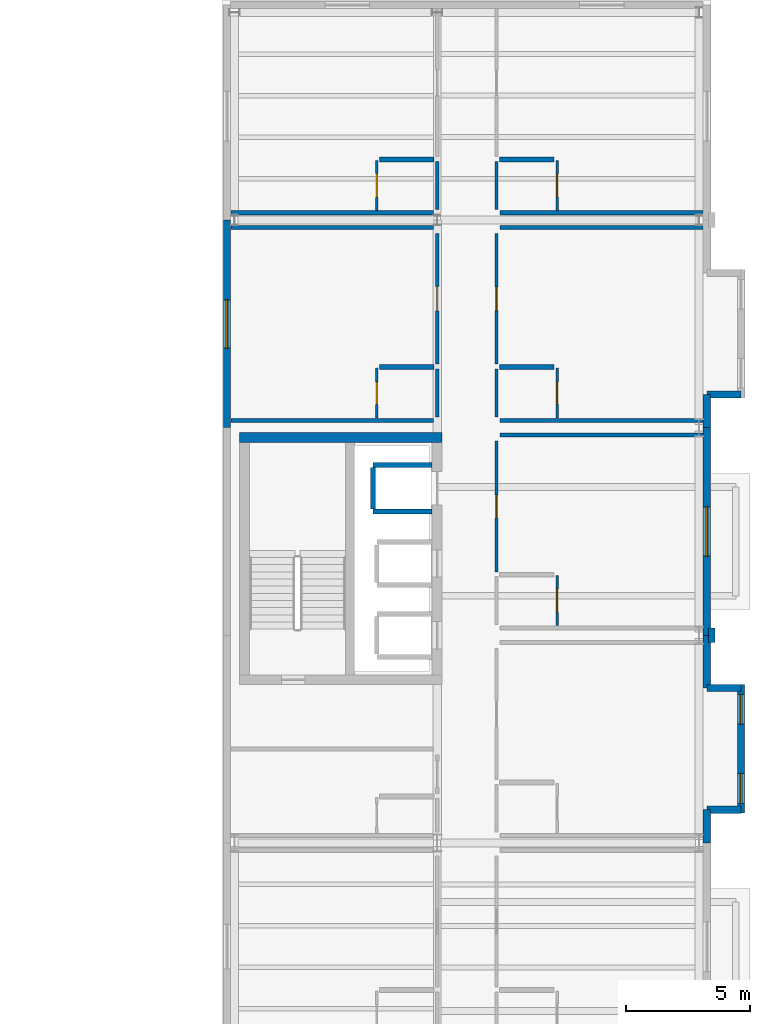
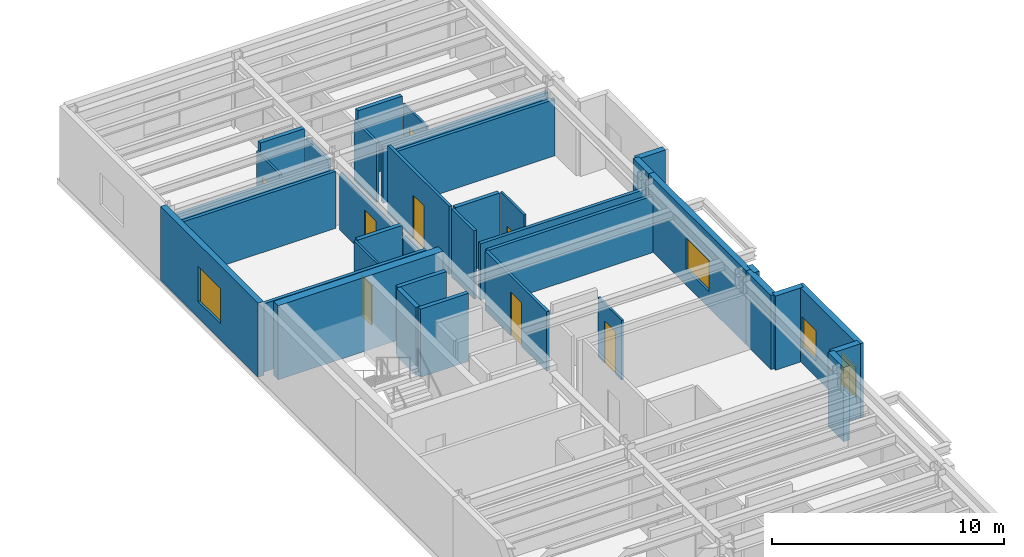
# One storey, part 38 of 46: 37 walls, 8 doors, 4 windows, 12 openings.
"""IFC4 building model written with IfcOpenShell, lengths in metres."""

import ifcopenshell
import ifcopenshell.guid

model = None  # the IFC model being written
_history = None  # IfcOwnerHistory: only IFC2X3 demands one
_inside = {}  # id of a spatial element -> (the spatial element, [elements in it])
_under = {}  # id of a project, library or spatial element -> (it, [spatial elements below it])
_declared = {}  # id of a project -> (the project, [libraries it declares])
_typed = {}  # id of a type object -> (the type object, [elements of that type])
_made_of = {}  # id of a material, layer set ... -> (it, [elements and type objects made of it])


def new_model(schema):
    """Start an empty IFC model of exactly this schema.

    Asked for "IFC4X3", IfcOpenShell would pick the latest addendum, in which some entities
    have other attributes; the version numbers below select the first issue.
    IFC2X3 requires an IfcOwnerHistory on every rooted entity: one is made here for all.
    """
    global model, _history
    if schema == "IFC4X3":
        model = ifcopenshell.file(schema_version=(4, 3, 0, 0))
    else:
        model = ifcopenshell.file(schema=schema)
    _inside.clear()
    _under.clear()
    _declared.clear()
    _typed.clear()
    _made_of.clear()
    _history = None
    if model.schema == "IFC2X3":
        org = make("IfcOrganization", Name="unknown")
        user = make(
            "IfcPersonAndOrganization",
            ThePerson=make("IfcPerson", FamilyName="unknown"),
            TheOrganization=org,
        )
        app = make(
            "IfcApplication",
            ApplicationDeveloper=org,
            Version="unknown",
            ApplicationFullName="unknown",
            ApplicationIdentifier="unknown",
        )
        _history = make(
            "IfcOwnerHistory",
            OwningUser=user,
            OwningApplication=app,
            ChangeAction="ADDED",
            CreationDate=0,
        )
    return model


def make(cls, **values):
    """One entity of the class cls with the attributes given. An attribute that is None is left unset."""
    return model.create_entity(
        cls, **{name: value for name, value in values.items() if value is not None}
    )


def rooted(cls, **values):
    """An entity with a GlobalId (a new one), such as an element, a storey or a relation."""
    return make(cls, GlobalId=ifcopenshell.guid.new(), OwnerHistory=_history, **values)


def si_unit(unit_type, name, prefix=None):
    """IfcSIUnit, for example si_unit("LENGTHUNIT", "METRE", prefix="MILLI")."""
    return make("IfcSIUnit", UnitType=unit_type, Prefix=prefix, Name=name)


def assignment(units):
    """IfcUnitAssignment: the units of a project."""
    return None if units is None else make("IfcUnitAssignment", Units=units)


def point(xyz):
    """IfcCartesianPoint."""
    return None if xyz is None else make("IfcCartesianPoint", Coordinates=xyz)


def direction(xyz):
    """IfcDirection."""
    return None if xyz is None else make("IfcDirection", DirectionRatios=xyz)


def frame(location, z_axis=None, x_axis=None):
    """IfcAxis2Placement3D, a coordinate frame: its origin and axes. An axis left out is left unset."""
    return make(
        "IfcAxis2Placement3D",
        Location=point(location),
        Axis=direction(z_axis),
        RefDirection=direction(x_axis),
    )


def frame_2d(location, x_axis=None):
    """IfcAxis2Placement2D, a coordinate frame in the plane: its origin and x axis."""
    return make(
        "IfcAxis2Placement2D", Location=point(location), RefDirection=direction(x_axis)
    )


def origin():
    """The frame at (0, 0, 0) with its axes left unset."""
    return frame((0.0, 0.0, 0.0))


def place(relative_to, where):
    """IfcLocalPlacement: puts the frame where relative to a parent placement (None: the world)."""
    return make(
        "IfcLocalPlacement", PlacementRelTo=relative_to, RelativePlacement=where
    )


def context(
    kind, dimensions, precision=None, world=None, true_north=None, identifier=None
):
    """IfcGeometricRepresentationContext, for example the 3D "Model" context."""
    return make(
        "IfcGeometricRepresentationContext",
        ContextIdentifier=identifier,
        ContextType=kind,
        CoordinateSpaceDimension=dimensions,
        Precision=precision,
        WorldCoordinateSystem=world,
        TrueNorth=true_north,
    )


def subcontext(parent, identifier, kind, view, scale=None):
    """IfcGeometricRepresentationSubContext, for example "Body" below "Model"."""
    return make(
        "IfcGeometricRepresentationSubContext",
        ContextIdentifier=identifier,
        ContextType=kind,
        ParentContext=parent,
        TargetScale=scale,
        TargetView=view,
    )


def project(units=None, contexts=None):
    """IfcProject with its units and contexts."""
    return rooted(
        "IfcProject",
        Name="project",
        RepresentationContexts=contexts,
        UnitsInContext=assignment(units),
    )


def spatial(cls, under=None, at=None, **own):
    """A site, building, storey or space (cls), placed at a placement, below another one or the project."""
    s = rooted(cls, ObjectPlacement=at, **own)
    if under is not None:
        _under.setdefault(under.id(), (under, []))[1].append(s)
    return s


def profile(cls, at=None, kind="AREA", **sizes):
    """A parametric profile (cls). Its sizes go by their IFC names, for example OverallWidth=200.0."""
    return make(cls, ProfileType=kind, Position=at, **sizes)


def rectangle(**sizes):
    """IfcRectangleProfileDef."""
    return profile("IfcRectangleProfileDef", **sizes)


def extrude(swept, where, along, depth):
    """IfcExtrudedAreaSolid: the profile swept, set in the frame where, extruded along a direction by depth."""
    return make(
        "IfcExtrudedAreaSolid",
        SweptArea=swept,
        Position=where,
        ExtrudedDirection=direction(along),
        Depth=depth,
    )


def shape(context_of_items, identifier, shape_type, items):
    """IfcShapeRepresentation: the items that make up one representation, for example the "Body"."""
    return make(
        "IfcShapeRepresentation",
        ContextOfItems=context_of_items,
        RepresentationIdentifier=identifier,
        RepresentationType=shape_type,
        Items=items,
    )


def material(Name=None, Category=None):
    """IfcMaterial."""
    return make("IfcMaterial", Name=Name, Category=Category)


def layer(
    of_material, thickness, ventilated=None, Name=None, Category=None, Priority=None
):
    """IfcMaterialLayer: one layer of a wall or slab, of a material (None: an air gap)."""
    return make(
        "IfcMaterialLayer",
        Material=of_material,
        LayerThickness=thickness,
        IsVentilated=ventilated,
        Name=Name,
        Category=Category,
        Priority=Priority,
    )


def layer_set(layers, Name=None):
    """IfcMaterialLayerSet."""
    return make("IfcMaterialLayerSet", MaterialLayers=layers, LayerSetName=Name)


def made_of(thing, what):
    """Note that an element or type object is made of a material, layer set ...; save() writes the relation."""
    if what is not None:
        _made_of.setdefault(what.id(), (what, []))[1].append(thing)
    return thing


def type_object(cls, material=None, **own):
    """A type object (cls), such as IfcWallType, which elements share."""
    return made_of(rooted(cls, **own), material)


def element(
    cls,
    number,
    at=None,
    inside=None,
    cuts=None,
    type_object=None,
    material=None,
    context=None,
    identifier="Body",
    shape_type=None,
    held_by="IfcProductDefinitionShape",
    body=None,
    shapes=None,
    **own,
):
    """One element of the class cls, such as IfcWall. Its Tag is "e" and its number.

    at: its placement. inside: the storey or other place that contains it. cuts: it is an
    opening in that element (IfcRelVoidsElement). A single representation is given by context,
    identifier, shape_type and body (its items); several are given by shapes. held_by: the class
    of the entity that holds the representations. save() writes the other relations.
    """
    e = rooted(cls, Tag="e%d" % number, ObjectPlacement=at, **own)
    if body is not None:
        shapes = [shape(context, identifier, shape_type, body)]
    if shapes is not None:
        e.Representation = make(held_by, Representations=shapes)
    if inside is not None:
        _inside.setdefault(inside.id(), (inside, []))[1].append(e)
    if cuts is not None:
        rooted(
            "IfcRelVoidsElement", RelatingBuildingElement=cuts, RelatedOpeningElement=e
        )
    if type_object is not None:
        _typed.setdefault(type_object.id(), (type_object, []))[1].append(e)
    return made_of(e, material)


def fill(opening, filler):
    """IfcRelFillsElement: the door or window that sits in an opening."""
    return rooted(
        "IfcRelFillsElement",
        RelatingOpeningElement=opening,
        RelatedBuildingElement=filler,
    )


def aggregate(whole, parts):
    """IfcRelAggregates: a whole, such as a stair, and the parts it consists of."""
    return rooted("IfcRelAggregates", RelatingObject=whole, RelatedObjects=parts)


def save(model, path):
    """Write the relations noted so far, then the file.

    IfcRelAggregates (storeys below a building ...), IfcRelContainedInSpatialStructure (elements
    in a storey), IfcRelDefinesByType, IfcRelAssociatesMaterial and IfcRelDeclares: one each for
    every whole, place, type object, material and project.
    """
    for whole, parts in _under.values():
        aggregate(whole, parts)
    for where, things in _inside.values():
        rooted(
            "IfcRelContainedInSpatialStructure",
            RelatedElements=things,
            RelatingStructure=where,
        )
    for kind, things in _typed.values():
        rooted("IfcRelDefinesByType", RelatedObjects=things, RelatingType=kind)
    for what, things in _made_of.values():
        rooted("IfcRelAssociatesMaterial", RelatedObjects=things, RelatingMaterial=what)
    for by, libraries in _declared.values():
        rooted("IfcRelDeclares", RelatingContext=by, RelatedDefinitions=libraries)
    model.write(path)


model = new_model("IFC4")

# Units and contexts
model_context = context("Model", 3, precision=1e-05, world=origin(), true_north=direction((0.0, 1.0)))
body_context = subcontext(model_context, "Body", "Model", "MODEL_VIEW")
ifc_project = project(units=[si_unit("LENGTHUNIT", "METRE"), si_unit("AREAUNIT", "SQUARE_METRE"), si_unit("VOLUMEUNIT", "CUBIC_METRE"), si_unit("PLANEANGLEUNIT", "RADIAN"), si_unit("MASSUNIT", "GRAM", prefix="KILO")], contexts=[model_context])

# Site, building, storey
site_placement = place(None, origin())
site = spatial("IfcSite", under=ifc_project, at=site_placement, CompositionType="ELEMENT")
building_placement = place(site_placement, origin())
building = spatial("IfcBuilding", under=site, at=building_placement, Name="Sollismere Congress Hotel", CompositionType="ELEMENT")
storey_placement = place(building_placement, frame((0.0, 0.0, 19.5)))
storey = spatial("IfcBuildingStorey", under=building, at=storey_placement, Name="L04", CompositionType="ELEMENT", Elevation=19.5)

# Walls
ifc_material_1 = material(Name="Colorado Buff Sandstone Rainscreen on Insulated Backup", Category="masonry")
ifc_layer_1 = layer(ifc_material_1, 0.284912109375, Name="Colorado Buff Sandstone Rainscreen on Insulated Backup")
ifc_layer_set_1 = layer_set([ifc_layer_1], Name="Colorado Buff Sandstone Rainscreen on Insulated Backup")
wall_type_1 = type_object("IfcWallType", Name="WL-EXT285", PredefinedType="STANDARD", material=ifc_layer_set_1)
wall_1_placement = place(storey_placement, frame((166.31005859375, 33.199951171875, 0.0), z_axis=(0.0, 0.0, 1.0), x_axis=(0.0, 1.0, 0.0)))
element("IfcWall", 1, at=wall_1_placement, inside=storey, type_object=wall_type_1, Name="Exterior wall EW-L04-530", PredefinedType="STANDARD", context=body_context, shape_type="SweptSolid", body=[
    extrude(rectangle(XDim=1.340087890625, YDim=0.284912109375, at=frame_2d((0.669921875, 0.0))), origin(), (0.0, 0.0, 1.0), 3.89990234375),
])
wall_2_placement = place(storey_placement, frame((166.31005859375, 39.4599609375, 0.0), z_axis=(0.0, 0.0, 1.0), x_axis=(0.0, 1.0, 0.0)))
element("IfcWall", 2, at=wall_2_placement, inside=storey, type_object=wall_type_1, Name="Exterior wall EW-L04-531", PredefinedType="STANDARD", context=body_context, shape_type="SweptSolid", body=[
    extrude(rectangle(XDim=2.14013671875, YDim=0.284912109375, at=frame_2d((1.070068359375, 0.0))), origin(), (0.0, 0.0, 1.0), 3.89990234375),
])

# Wall, openings, windows
wall_3_placement = place(storey_placement, frame((167.699951171875, 34.39990234375, 0.0), z_axis=(0.0, 0.0, 1.0), x_axis=(0.0, 1.0, 0.0)))
wall_3 = element("IfcWall", 3, at=wall_3_placement, inside=storey, type_object=wall_type_1, Name="Exterior wall EW-L04-532", PredefinedType="STANDARD", context=body_context, shape_type="SweptSolid", body=[
    extrude(rectangle(XDim=5.2001953125, YDim=0.284912109375, at=frame_2d((2.60009765625, 0.0))), origin(), (0.0, 0.0, 1.0), 3.89990234375),
])
opening_1_placement = place(wall_3_placement, frame((0.39990234375, 0.0, 0.85009765625)))
opening_1 = element("IfcOpeningElement", 4, at=opening_1_placement, cuts=wall_3, Name="Opening W-L04-400", PredefinedType="OPENING", context=body_context, shape_type="SweptSolid", body=[
    extrude(rectangle(XDim=1.199951171875, YDim=1.60009765625, at=frame_2d((0.60009765625, 0.800048828125))), frame((0.0, 0.15234375, 0.0), z_axis=(0.0, -1.0, 0.0), x_axis=(1.0, 0.0, 0.0)), (0.0, 0.0, 1.0), 0.304931640625),
])
opening_2_placement = place(wall_3_placement, frame((3.60009765625, 0.0, 0.85009765625)))
opening_2 = element("IfcOpeningElement", 5, at=opening_2_placement, cuts=wall_3, Name="Opening W-L04-401", PredefinedType="OPENING", context=body_context, shape_type="SweptSolid", body=[
    extrude(rectangle(XDim=1.199951171875, YDim=1.60009765625, at=frame_2d((0.60009765625, 0.800048828125))), frame((0.0, 0.15234375, 0.0), z_axis=(0.0, -1.0, 0.0), x_axis=(1.0, 0.0, 0.0)), (0.0, 0.0, 1.0), 0.304931640625),
])
ifc_material_2 = material(Name="Thermally Broken Bronze Aluminum & Low-E Glass", Category="aluminium")
window_type_1 = type_object("IfcWindowType", Name="WN-P120x160", PartitioningType="SINGLE_PANEL", PredefinedType="WINDOW", material=ifc_material_2)
window_1_placement = place(opening_1_placement, origin())
window_1 = element("IfcWindow", 6, at=window_1_placement, inside=storey, type_object=window_type_1, Name="WIN-W-L04-400", OverallHeight=1.60009765625, OverallWidth=1.199951171875, PartitioningType="SINGLE_PANEL", PredefinedType="WINDOW", context=body_context, shape_type="SweptSolid", body=[
    extrude(rectangle(XDim=1.199951171875, YDim=1.60009765625, at=frame_2d((0.60009765625, 0.800048828125))), frame((0.0, 0.030029296875, 0.0), z_axis=(0.0, -1.0, 0.0), x_axis=(1.0, 0.0, 0.0)), (0.0, 0.0, 1.0), 0.06005859375),
])
fill(opening_1, window_1)
window_2_placement = place(opening_2_placement, origin())
window_2 = element("IfcWindow", 7, at=window_2_placement, inside=storey, type_object=window_type_1, Name="WIN-W-L04-401", OverallHeight=1.60009765625, OverallWidth=1.199951171875, PartitioningType="SINGLE_PANEL", PredefinedType="WINDOW", context=body_context, shape_type="SweptSolid", body=[
    extrude(rectangle(XDim=1.199951171875, YDim=1.60009765625, at=frame_2d((0.60009765625, 0.800048828125))), frame((0.0, 0.030029296875, 0.0), z_axis=(0.0, -1.0, 0.0), x_axis=(1.0, 0.0, 0.0)), (0.0, 0.0, 1.0), 0.06005859375),
])
fill(opening_2, window_2)

# Walls
for number, where, z_axis, x_axis, name in (
    (8, (166.31005859375, 34.5400390625, 0.0), (0.0, 0.0, 1.0), (1.0, 0.0, 0.0), "Exterior wall EW-L04-533"),
    (9, (167.699951171875, 39.4599609375, 0.0), (0.0, 0.0, 1.0), (-1.0, 0.0, 0.0), "Exterior wall EW-L04-534"),
):
    element("IfcWall", number, at=place(storey_placement, frame(where, z_axis=z_axis, x_axis=x_axis)), inside=storey, type_object=wall_type_1, Name=name, PredefinedType="STANDARD", context=body_context, shape_type="SweptSolid", body=[
        extrude(rectangle(XDim=1.389892578125, YDim=0.284912109375, at=frame_2d((0.69482421875, 0.0))), origin(), (0.0, 0.0, 1.0), 3.89990234375),
    ])

# Wall, opening, window
wall_4_placement = place(storey_placement, frame((166.31005859375, 41.60009765625, 0.0), z_axis=(0.0, 0.0, 1.0), x_axis=(0.0, 1.0, 0.0)))
wall_4 = element("IfcWall", 10, at=wall_4_placement, inside=storey, type_object=wall_type_1, Name="Exterior wall EW-L04-535", PredefinedType="STANDARD", context=body_context, shape_type="SweptSolid", body=[
    extrude(rectangle(XDim=8.39990234375, YDim=0.284912109375, at=frame_2d((4.199951171875, 0.0))), origin(), (0.0, 0.0, 1.0), 3.89990234375),
])
opening_3_placement = place(wall_4_placement, frame((3.199951171875, 0.0, 0.85009765625)))
opening_3 = element("IfcOpeningElement", 11, at=opening_3_placement, cuts=wall_4, Name="Opening W-L04-402", PredefinedType="OPENING", context=body_context, shape_type="SweptSolid", body=[
    extrude(rectangle(XDim=2.0, YDim=1.64990234375, at=frame_2d((1.0, 0.824951171875))), frame((0.0, 0.15234375, 0.0), z_axis=(0.0, -1.0, 0.0), x_axis=(1.0, 0.0, 0.0)), (0.0, 0.0, 1.0), 0.304931640625),
])
window_type_2 = type_object("IfcWindowType", Name="WN-P200x165", PartitioningType="SINGLE_PANEL", PredefinedType="WINDOW", material=ifc_material_2)
window_3_placement = place(opening_3_placement, origin())
window_3 = element("IfcWindow", 12, at=window_3_placement, inside=storey, type_object=window_type_2, Name="WIN-W-L04-402", OverallHeight=1.64990234375, OverallWidth=2.0, PartitioningType="SINGLE_PANEL", PredefinedType="WINDOW", context=body_context, shape_type="SweptSolid", body=[
    extrude(rectangle(XDim=2.0, YDim=1.64990234375, at=frame_2d((1.0, 0.824951171875))), frame((0.0, 0.030029296875, 0.0), z_axis=(0.0, -1.0, 0.0), x_axis=(1.0, 0.0, 0.0)), (0.0, 0.0, 1.0), 0.06005859375),
])
fill(opening_3, window_3)

# Walls
wall_5_placement = place(storey_placement, frame((166.31005859375, 50.0, 0.0), z_axis=(0.0, 0.0, 1.0), x_axis=(0.0, 1.0, 0.0)))
element("IfcWall", 13, at=wall_5_placement, inside=storey, type_object=wall_type_1, Name="Exterior wall EW-L04-537", PredefinedType="STANDARD", context=body_context, shape_type="SweptSolid", body=[
    extrude(rectangle(XDim=1.340087890625, YDim=0.284912109375, at=frame_2d((0.669921875, 0.0))), origin(), (0.0, 0.0, 1.0), 3.89990234375),
])
wall_6_placement = place(storey_placement, frame((166.31005859375, 51.340087890625, 0.0), z_axis=(0.0, 0.0, 1.0), x_axis=(1.0, 0.0, 0.0)))
element("IfcWall", 14, at=wall_6_placement, inside=storey, type_object=wall_type_1, Name="Exterior wall EW-L04-540", PredefinedType="STANDARD", context=body_context, shape_type="SweptSolid", body=[
    extrude(rectangle(XDim=1.389892578125, YDim=0.284912109375, at=frame_2d((0.69482421875, 0.0))), origin(), (0.0, 0.0, 1.0), 3.89990234375),
])

# Wall, opening, window
wall_7_placement = place(storey_placement, frame((146.889892578125, 50.0, 0.0), z_axis=(0.0, 0.0, 1.0), x_axis=(0.0, 1.0, 0.0)))
wall_7 = element("IfcWall", 15, at=wall_7_placement, inside=storey, type_object=wall_type_1, Name="Exterior wall EW-L04-560", PredefinedType="STANDARD", context=body_context, shape_type="SweptSolid", body=[
    extrude(rectangle(XDim=8.39990234375, YDim=0.284912109375, at=frame_2d((4.199951171875, 0.0))), origin(), (0.0, 0.0, 1.0), 3.89990234375),
])
opening_4_placement = place(wall_7_placement, frame((3.22509765625, 0.0, 0.85009765625)))
opening_4 = element("IfcOpeningElement", 16, at=opening_4_placement, cuts=wall_7, Name="Opening W-L04-419", PredefinedType="OPENING", context=body_context, shape_type="SweptSolid", body=[
    extrude(rectangle(XDim=1.949951171875, YDim=1.85009765625, at=frame_2d((0.97509765625, 0.925048828125))), frame((0.0, 0.15234375, 0.0), z_axis=(0.0, -1.0, 0.0), x_axis=(1.0, 0.0, 0.0)), (0.0, 0.0, 1.0), 0.304931640625),
])
window_type_3 = type_object("IfcWindowType", Name="WN-P195x185", PartitioningType="SINGLE_PANEL", PredefinedType="WINDOW", material=ifc_material_2)
window_4_placement = place(opening_4_placement, origin())
window_4 = element("IfcWindow", 17, at=window_4_placement, inside=storey, type_object=window_type_3, Name="WIN-W-L04-419", OverallHeight=1.85009765625, OverallWidth=1.949951171875, PartitioningType="SINGLE_PANEL", PredefinedType="WINDOW", context=body_context, shape_type="SweptSolid", body=[
    extrude(rectangle(XDim=1.949951171875, YDim=1.85009765625, at=frame_2d((0.97509765625, 0.925048828125))), frame((0.0, 0.030029296875, 0.0), z_axis=(0.0, -1.0, 0.0), x_axis=(1.0, 0.0, 0.0)), (0.0, 0.0, 1.0), 0.06005859375),
])
fill(opening_4, window_4)

# Walls
ifc_material_3 = material(Name="Carved Travertine Pilaster & Frieze Assembly", Category="masonry")
ifc_layer_2 = layer(ifc_material_3, 0.260009765625, Name="Carved Travertine Pilaster & Frieze Assembly")
ifc_layer_set_2 = layer_set([ifc_layer_2], Name="Carved Travertine Pilaster & Frieze Assembly")
wall_type_2 = type_object("IfcWallType", Name="WL-PIL280", PredefinedType="ELEMENTEDWALL", material=ifc_layer_set_2)
wall_8_placement = place(storey_placement, frame((166.52001953125, 41.300048828125, 0.0), z_axis=(0.0, 0.0, 1.0), x_axis=(0.0, 1.0, 0.0)))
element("IfcWall", 18, at=wall_8_placement, inside=storey, type_object=wall_type_2, Name="Exterior wall EW-L04-536", PredefinedType="ELEMENTEDWALL", context=body_context, shape_type="SweptSolid", body=[
    extrude(rectangle(XDim=0.599853515625, YDim=0.260009765625, at=frame_2d((0.2998046875, 0.0))), origin(), (0.0, 0.0, 1.0), 3.89990234375),
])
ifc_material_4 = material(Name="Moisture-Resistant Shaft Gypsum Assembly")
ifc_layer_3 = layer(ifc_material_4, 0.199951171875, Name="Moisture-Resistant Shaft Gypsum Assembly")
ifc_layer_set_3 = layer_set([ifc_layer_3], Name="Moisture-Resistant Shaft Gypsum Assembly")
wall_type_3 = type_object("IfcWallType", Name="WL-PLM200", PredefinedType="PLUMBINGWALL", material=ifc_layer_set_3)
for number, where, z_axis, x_axis, name in (
    (19, (152.800048828125, 46.60498046875, 0.0), (0.0, 0.0, 1.0), (1.0, 0.0, 0.0), "Interior wall IW-L04-0459"),
    (20, (152.800048828125, 48.4951171875, 0.0), (0.0, 0.0, 1.0), (1.0, 0.0, 0.0), "Interior wall IW-L04-0460"),
):
    element("IfcWall", number, at=place(storey_placement, frame(where, z_axis=z_axis, x_axis=x_axis)), inside=storey, type_object=wall_type_3, Name=name, PredefinedType="PLUMBINGWALL", context=body_context, shape_type="SweptSolid", body=[
        extrude(rectangle(XDim=2.387939453125, YDim=0.199951171875, at=frame_2d((1.19384765625, 0.0))), origin(), (0.0, 0.0, 1.0), 3.5849609375),
    ])
wall_9_placement = place(storey_placement, frame((152.800048828125, 46.717041015625, 0.0), z_axis=(0.0, 0.0, 1.0), x_axis=(0.0, 1.0, 0.0)))
element("IfcWall", 21, at=wall_9_placement, inside=storey, type_object=wall_type_3, Name="Interior wall IW-L04-0461", PredefinedType="PLUMBINGWALL", context=body_context, shape_type="SweptSolid", body=[
    extrude(rectangle(XDim=1.666015625, YDim=0.199951171875, at=frame_2d((0.8330078125, 0.0))), origin(), (0.0, 0.0, 1.0), 3.5849609375),
])
for number, where, z_axis, x_axis, name in (
    (22, (157.919921875, 52.449951171875, 0.0), (0.0, 0.0, 1.0), (1.0, 0.0, 0.0), "Interior wall IW-L04-1691"),
    (23, (153.070068359375, 52.449951171875, 0.0), (0.0, 0.0, 1.0), (1.0, 0.0, 0.0), "Interior wall IW-L04-1697"),
    (24, (157.919921875, 60.85009765625, 0.0), (0.0, 0.0, 1.0), (1.0, 0.0, 0.0), "Interior wall IW-L04-1702"),
    (25, (153.070068359375, 60.85009765625, 0.0), (0.0, 0.0, 1.0), (1.0, 0.0, 0.0), "Interior wall IW-L04-1707"),
):
    element("IfcWall", number, at=place(storey_placement, frame(where, z_axis=z_axis, x_axis=x_axis)), inside=storey, type_object=wall_type_3, Name=name, PredefinedType="PLUMBINGWALL", context=body_context, shape_type="SweptSolid", body=[
        extrude(rectangle(XDim=2.2099609375, YDim=0.199951171875, at=frame_2d((1.10498046875, 0.0))), origin(), (0.0, 0.0, 1.0), 3.5849609375),
    ])

# Wall, opening, door
ifc_material_5 = material(Name="Moisture-Resistant Gypsum Partition")
ifc_layer_4 = layer(ifc_material_5, 0.10009765625, Name="Moisture-Resistant Gypsum Partition")
ifc_layer_set_4 = layer_set([ifc_layer_4], Name="Moisture-Resistant Gypsum Partition")
wall_type_4 = type_object("IfcWallType", Name="WL-PRT100", PredefinedType="PARTITIONING", material=ifc_layer_set_4)
wall_10_placement = place(storey_placement, frame((160.25, 41.994384765625, 0.0), z_axis=(0.0, 0.0, 1.0), x_axis=(0.0, 1.0, 0.0)))
wall_10 = element("IfcWall", 26, at=wall_10_placement, inside=storey, type_object=wall_type_4, Name="Interior wall IW-L04-1686", PredefinedType="PARTITIONING", context=body_context, shape_type="SweptSolid", body=[
    extrude(rectangle(XDim=2.015625, YDim=0.10009765625, at=frame_2d((1.0078125, 0.0))), origin(), (0.0, 0.0, 1.0), 3.137939453125),
])
opening_5_placement = place(wall_10_placement, frame((0.530029296875, 0.0, 0.0)))
opening_5 = element("IfcOpeningElement", 27, at=opening_5_placement, cuts=wall_10, Name="Opening D-L04-0594", PredefinedType="OPENING", context=body_context, shape_type="SweptSolid", body=[
    extrude(rectangle(XDim=0.955078125, YDim=2.219970703125, at=frame_2d((0.4775390625, 1.10986328125))), frame((0.0, 0.06005859375, 0.0), z_axis=(0.0, -1.0, 0.0), x_axis=(1.0, 0.0, 0.0)), (0.0, 0.0, 1.0), 0.1201171875),
])
ifc_material_6 = material(Name="Moisture-Sealed Timber Bathroom Door", Category="wood")
door_type_1 = type_object("IfcDoorType", Name="DR-BT08", OperationType="NOTDEFINED", PredefinedType="DOOR", material=ifc_material_6)
door_1_placement = place(opening_5_placement, origin())
door_1 = element("IfcDoor", 28, at=door_1_placement, inside=storey, type_object=door_type_1, Name="En-suite bathroom door D-L04-0594", OperationType="SINGLE_SWING_LEFT", OverallHeight=2.219970703125, OverallWidth=0.955078125, PredefinedType="DOOR", context=body_context, shape_type="SweptSolid", body=[
    extrude(rectangle(XDim=0.955078125, YDim=2.219970703125, at=frame_2d((0.4775390625, 1.10986328125))), frame((0.0, 0.02490234375, 0.0), z_axis=(0.0, -1.0, 0.0), x_axis=(1.0, 0.0, 0.0)), (0.0, 0.0, 1.0), 0.050048828125),
])
fill(opening_5, door_1)

wall_11_placement = place(storey_placement, frame((160.25, 50.39453125, 0.0), z_axis=(0.0, 0.0, 1.0), x_axis=(0.0, 1.0, 0.0)))
wall_11 = element("IfcWall", 29, at=wall_11_placement, inside=storey, type_object=wall_type_4, Name="Interior wall IW-L04-1692", PredefinedType="PARTITIONING", context=body_context, shape_type="SweptSolid", body=[
    extrude(rectangle(XDim=2.015380859375, YDim=0.10009765625, at=frame_2d((1.0078125, 0.0))), origin(), (0.0, 0.0, 1.0), 3.5849609375),
])
opening_6_placement = place(wall_11_placement, frame((0.568115234375, 0.0, 0.0)))
opening_6 = element("IfcOpeningElement", 30, at=opening_6_placement, cuts=wall_11, Name="Opening D-L04-0596", PredefinedType="OPENING", context=body_context, shape_type="SweptSolid", body=[
    extrude(rectangle(XDim=0.8798828125, YDim=2.10009765625, at=frame_2d((0.43994140625, 1.050048828125))), frame((0.0, 0.06005859375, 0.0), z_axis=(0.0, -1.0, 0.0), x_axis=(1.0, 0.0, 0.0)), (0.0, 0.0, 1.0), 0.1201171875),
])
door_type_2 = type_object("IfcDoorType", Name="DR-BT01", OperationType="NOTDEFINED", PredefinedType="DOOR", material=ifc_material_6)
door_2_placement = place(opening_6_placement, origin())
door_2 = element("IfcDoor", 31, at=door_2_placement, inside=storey, type_object=door_type_2, Name="En-suite bathroom door D-L04-0596", OperationType="SINGLE_SWING_LEFT", OverallHeight=2.10009765625, OverallWidth=0.8798828125, PredefinedType="DOOR", context=body_context, shape_type="SweptSolid", body=[
    extrude(rectangle(XDim=0.8798828125, YDim=2.10009765625, at=frame_2d((0.43994140625, 1.050048828125))), frame((0.0, 0.02490234375, 0.0), z_axis=(0.0, -1.0, 0.0), x_axis=(1.0, 0.0, 0.0)), (0.0, 0.0, 1.0), 0.050048828125),
])
fill(opening_6, door_2)

wall_12_placement = place(storey_placement, frame((152.949951171875, 50.39453125, 0.0), z_axis=(0.0, 0.0, 1.0), x_axis=(0.0, 1.0, 0.0)))
wall_12 = element("IfcWall", 32, at=wall_12_placement, inside=storey, type_object=wall_type_4, Name="Interior wall IW-L04-1698", PredefinedType="PARTITIONING", context=body_context, shape_type="SweptSolid", body=[
    extrude(rectangle(XDim=2.015380859375, YDim=0.10009765625, at=frame_2d((1.0078125, 0.0))), origin(), (0.0, 0.0, 1.0), 3.5849609375),
])
opening_7_placement = place(wall_12_placement, frame((0.554931640625, 0.0, 0.0)))
opening_7 = element("IfcOpeningElement", 33, at=opening_7_placement, cuts=wall_12, Name="Opening D-L04-0598", PredefinedType="OPENING", context=body_context, shape_type="SweptSolid", body=[
    extrude(rectangle(XDim=0.905029296875, YDim=2.10009765625, at=frame_2d((0.45263671875, 1.050048828125))), frame((0.0, 0.06005859375, 0.0), z_axis=(0.0, -1.0, 0.0), x_axis=(1.0, 0.0, 0.0)), (0.0, 0.0, 1.0), 0.1201171875),
])
door_type_3 = type_object("IfcDoorType", Name="DR-BT02", OperationType="NOTDEFINED", PredefinedType="DOOR", material=ifc_material_6)
door_3_placement = place(opening_7_placement, origin())
door_3 = element("IfcDoor", 34, at=door_3_placement, inside=storey, type_object=door_type_3, Name="En-suite bathroom door D-L04-0598", OperationType="SINGLE_SWING_LEFT", OverallHeight=2.10009765625, OverallWidth=0.905029296875, PredefinedType="DOOR", context=body_context, shape_type="SweptSolid", body=[
    extrude(rectangle(XDim=0.905029296875, YDim=2.10009765625, at=frame_2d((0.45263671875, 1.050048828125))), frame((0.0, 0.02490234375, 0.0), z_axis=(0.0, -1.0, 0.0), x_axis=(1.0, 0.0, 0.0)), (0.0, 0.0, 1.0), 0.050048828125),
])
fill(opening_7, door_3)

wall_13_placement = place(storey_placement, frame((160.25, 58.79443359375, 0.0), z_axis=(0.0, 0.0, 1.0), x_axis=(0.0, 1.0, 0.0)))
wall_13 = element("IfcWall", 35, at=wall_13_placement, inside=storey, type_object=wall_type_4, Name="Interior wall IW-L04-1703", PredefinedType="PARTITIONING", context=body_context, shape_type="SweptSolid", body=[
    extrude(rectangle(XDim=2.015625, YDim=0.10009765625, at=frame_2d((1.0078125, 0.0))), origin(), (0.0, 0.0, 1.0), 3.14306640625),
])
opening_8_placement = place(wall_13_placement, frame((0.54296875, 0.0, 0.0)))
opening_8 = element("IfcOpeningElement", 36, at=opening_8_placement, cuts=wall_13, Name="Opening D-L04-0600", PredefinedType="OPENING", context=body_context, shape_type="SweptSolid", body=[
    extrude(rectangle(XDim=0.929931640625, YDim=2.139892578125, at=frame_2d((0.46484375, 1.06982421875))), frame((0.0, 0.06005859375, 0.0), z_axis=(0.0, -1.0, 0.0), x_axis=(1.0, 0.0, 0.0)), (0.0, 0.0, 1.0), 0.1201171875),
])
door_type_4 = type_object("IfcDoorType", Name="DR-BT03", OperationType="NOTDEFINED", PredefinedType="DOOR", material=ifc_material_6)
door_4_placement = place(opening_8_placement, origin())
door_4 = element("IfcDoor", 37, at=door_4_placement, inside=storey, type_object=door_type_4, Name="En-suite bathroom door D-L04-0600", OperationType="SINGLE_SWING_LEFT", OverallHeight=2.139892578125, OverallWidth=0.929931640625, PredefinedType="DOOR", context=body_context, shape_type="SweptSolid", body=[
    extrude(rectangle(XDim=0.929931640625, YDim=2.139892578125, at=frame_2d((0.46484375, 1.06982421875))), frame((0.0, 0.02490234375, 0.0), z_axis=(0.0, -1.0, 0.0), x_axis=(1.0, 0.0, 0.0)), (0.0, 0.0, 1.0), 0.050048828125),
])
fill(opening_8, door_4)

wall_14_placement = place(storey_placement, frame((152.949951171875, 58.79443359375, 0.0), z_axis=(0.0, 0.0, 1.0), x_axis=(0.0, 1.0, 0.0)))
wall_14 = element("IfcWall", 38, at=wall_14_placement, inside=storey, type_object=wall_type_4, Name="Interior wall IW-L04-1708", PredefinedType="PARTITIONING", context=body_context, shape_type="SweptSolid", body=[
    extrude(rectangle(XDim=2.015625, YDim=0.10009765625, at=frame_2d((1.0078125, 0.0))), origin(), (0.0, 0.0, 1.0), 3.193115234375),
])
opening_9_placement = place(wall_14_placement, frame((0.530029296875, 0.0, 0.0)))
opening_9 = element("IfcOpeningElement", 39, at=opening_9_placement, cuts=wall_14, Name="Opening D-L04-0602", PredefinedType="OPENING", context=body_context, shape_type="SweptSolid", body=[
    extrude(rectangle(XDim=0.955078125, YDim=2.139892578125, at=frame_2d((0.4775390625, 1.06982421875))), frame((0.0, 0.06005859375, 0.0), z_axis=(0.0, -1.0, 0.0), x_axis=(1.0, 0.0, 0.0)), (0.0, 0.0, 1.0), 0.1201171875),
])
door_type_5 = type_object("IfcDoorType", Name="DR-BT04", OperationType="NOTDEFINED", PredefinedType="DOOR", material=ifc_material_6)
door_5_placement = place(opening_9_placement, origin())
door_5 = element("IfcDoor", 40, at=door_5_placement, inside=storey, type_object=door_type_5, Name="En-suite bathroom door D-L04-0602", OperationType="SINGLE_SWING_LEFT", OverallHeight=2.139892578125, OverallWidth=0.955078125, PredefinedType="DOOR", context=body_context, shape_type="SweptSolid", body=[
    extrude(rectangle(XDim=0.955078125, YDim=2.139892578125, at=frame_2d((0.4775390625, 1.06982421875))), frame((0.0, 0.02490234375, 0.0), z_axis=(0.0, -1.0, 0.0), x_axis=(1.0, 0.0, 0.0)), (0.0, 0.0, 1.0), 0.050048828125),
])
fill(opening_9, door_5)

ifc_material_7 = material(Name="Fire-Rated Gypsum Partition")
ifc_layer_5 = layer(ifc_material_7, 0.139892578125, Name="Fire-Rated Gypsum Partition")
ifc_layer_set_5 = layer_set([ifc_layer_5], Name="Fire-Rated Gypsum Partition")
wall_type_5 = type_object("IfcWallType", Name="WL-PRT140R", PredefinedType="PARTITIONING", material=ifc_layer_set_5)
wall_15_placement = place(storey_placement, frame((157.800048828125, 44.169921875, 0.0), z_axis=(0.0, 0.0, 1.0), x_axis=(0.0, 1.0, 0.0)))
wall_15 = element("IfcWall", 41, at=wall_15_placement, inside=storey, type_object=wall_type_5, Name="Interior wall IW-L04-1682", PredefinedType="PARTITIONING", context=body_context, shape_type="SweptSolid", body=[
    extrude(rectangle(XDim=5.2900390625, YDim=0.139892578125, at=frame_2d((2.64501953125, 0.0))), origin(), (0.0, 0.0, 1.0), 3.137939453125),
])
opening_10_placement = place(wall_15_placement, frame((2.18505859375, 0.0, 0.0)))
opening_10 = element("IfcOpeningElement", 42, at=opening_10_placement, cuts=wall_15, Name="Opening D-L04-0593", PredefinedType="OPENING", context=body_context, shape_type="SweptSolid", body=[
    extrude(rectangle(XDim=0.919921875, YDim=2.300048828125, at=frame_2d((0.4599609375, 1.14990234375))), frame((0.0, 0.079833984375, 0.0), z_axis=(0.0, -1.0, 0.0), x_axis=(1.0, 0.0, 0.0)), (0.0, 0.0, 1.0), 0.159912109375),
])
ifc_material_8 = material(Name="Solid-Core Acoustic Walnut Guestroom Entry Door")
door_type_6 = type_object("IfcDoorType", Name="DR-KY07", OperationType="NOTDEFINED", PredefinedType="DOOR", material=ifc_material_8)
door_6_placement = place(opening_10_placement, origin())
door_6 = element("IfcDoor", 43, at=door_6_placement, inside=storey, type_object=door_type_6, Name="Hotel room entry door D-L04-0593", OperationType="SINGLE_SWING_RIGHT", OverallHeight=2.300048828125, OverallWidth=0.919921875, PredefinedType="DOOR", context=body_context, shape_type="SweptSolid", body=[
    extrude(rectangle(XDim=0.919921875, YDim=2.300048828125, at=frame_2d((0.4599609375, 1.14990234375))), frame((0.0, 0.02490234375, 0.0), z_axis=(0.0, -1.0, 0.0), x_axis=(1.0, 0.0, 0.0)), (0.0, 0.0, 1.0), 0.050048828125),
])
fill(opening_10, door_6)

# Wall
wall_16_placement = place(storey_placement, frame((157.800048828125, 50.43994140625, 0.0), z_axis=(0.0, 0.0, 1.0), x_axis=(0.0, 1.0, 0.0)))
element("IfcWall", 44, at=wall_16_placement, inside=storey, type_object=wall_type_5, Name="Interior wall IW-L04-1687", PredefinedType="PARTITIONING", context=body_context, shape_type="SweptSolid", body=[
    extrude(rectangle(XDim=1.93017578125, YDim=0.139892578125, at=frame_2d((0.965087890625, 0.0))), origin(), (0.0, 0.0, 1.0), 3.5849609375),
])

# Wall, opening, door
wall_17_placement = place(storey_placement, frame((157.800048828125, 52.570068359375, 0.0), z_axis=(0.0, 0.0, 1.0), x_axis=(0.0, 1.0, 0.0)))
wall_17 = element("IfcWall", 45, at=wall_17_placement, inside=storey, type_object=wall_type_5, Name="Interior wall IW-L04-1688", PredefinedType="PARTITIONING", context=body_context, shape_type="SweptSolid", body=[
    extrude(rectangle(XDim=5.2900390625, YDim=0.139892578125, at=frame_2d((2.64501953125, 0.0))), origin(), (0.0, 0.0, 1.0), 3.5849609375),
])
opening_11_placement = place(wall_17_placement, frame((2.169921875, 0.0, 0.0)))
opening_11 = element("IfcOpeningElement", 46, at=opening_11_placement, cuts=wall_17, Name="Opening D-L04-0595", PredefinedType="OPENING", context=body_context, shape_type="SweptSolid", body=[
    extrude(rectangle(XDim=0.949951171875, YDim=2.300048828125, at=frame_2d((0.47509765625, 1.14990234375))), frame((0.0, 0.079833984375, 0.0), z_axis=(0.0, -1.0, 0.0), x_axis=(1.0, 0.0, 0.0)), (0.0, 0.0, 1.0), 0.159912109375),
])
door_type_7 = type_object("IfcDoorType", Name="DR-KY08", OperationType="NOTDEFINED", PredefinedType="DOOR", material=ifc_material_8)
door_7_placement = place(opening_11_placement, origin())
door_7 = element("IfcDoor", 47, at=door_7_placement, inside=storey, type_object=door_type_7, Name="Hotel room entry door D-L04-0595", OperationType="SINGLE_SWING_RIGHT", OverallHeight=2.300048828125, OverallWidth=0.949951171875, PredefinedType="DOOR", context=body_context, shape_type="SweptSolid", body=[
    extrude(rectangle(XDim=0.949951171875, YDim=2.300048828125, at=frame_2d((0.47509765625, 1.14990234375))), frame((0.0, 0.02490234375, 0.0), z_axis=(0.0, -1.0, 0.0), x_axis=(1.0, 0.0, 0.0)), (0.0, 0.0, 1.0), 0.050048828125),
])
fill(opening_11, door_7)

# Wall
wall_18_placement = place(storey_placement, frame((155.39990234375, 50.43994140625, 0.0), z_axis=(0.0, 0.0, 1.0), x_axis=(0.0, 1.0, 0.0)))
element("IfcWall", 48, at=wall_18_placement, inside=storey, type_object=wall_type_5, Name="Interior wall IW-L04-1693", PredefinedType="PARTITIONING", context=body_context, shape_type="SweptSolid", body=[
    extrude(rectangle(XDim=1.93017578125, YDim=0.139892578125, at=frame_2d((0.965087890625, 0.0))), origin(), (0.0, 0.0, 1.0), 2.97509765625),
])

# Wall, opening, door
wall_19_placement = place(storey_placement, frame((155.39990234375, 52.570068359375, 0.0), z_axis=(0.0, 0.0, 1.0), x_axis=(0.0, 1.0, 0.0)))
wall_19 = element("IfcWall", 49, at=wall_19_placement, inside=storey, type_object=wall_type_5, Name="Interior wall IW-L04-1694", PredefinedType="PARTITIONING", context=body_context, shape_type="SweptSolid", body=[
    extrude(rectangle(XDim=5.2900390625, YDim=0.139892578125, at=frame_2d((2.64501953125, 0.0))), origin(), (0.0, 0.0, 1.0), 2.97509765625),
])
opening_12_placement = place(wall_19_placement, frame((2.155029296875, 0.0, 0.0)))
opening_12 = element("IfcOpeningElement", 50, at=opening_12_placement, cuts=wall_19, Name="Opening D-L04-0597", PredefinedType="OPENING", context=body_context, shape_type="SweptSolid", body=[
    extrude(rectangle(XDim=0.97998046875, YDim=2.35009765625, at=frame_2d((0.489990234375, 1.175048828125))), frame((0.0, 0.079833984375, 0.0), z_axis=(0.0, -1.0, 0.0), x_axis=(1.0, 0.0, 0.0)), (0.0, 0.0, 1.0), 0.159912109375),
])
door_type_8 = type_object("IfcDoorType", Name="DR-KY09", OperationType="NOTDEFINED", PredefinedType="DOOR", material=ifc_material_8)
door_8_placement = place(opening_12_placement, origin())
door_8 = element("IfcDoor", 51, at=door_8_placement, inside=storey, type_object=door_type_8, Name="Hotel room entry door D-L04-0597", OperationType="SINGLE_SWING_RIGHT", OverallHeight=2.35009765625, OverallWidth=0.97998046875, PredefinedType="DOOR", context=body_context, shape_type="SweptSolid", body=[
    extrude(rectangle(XDim=0.97998046875, YDim=2.35009765625, at=frame_2d((0.489990234375, 1.175048828125))), frame((0.0, 0.02490234375, 0.0), z_axis=(0.0, -1.0, 0.0), x_axis=(1.0, 0.0, 0.0)), (0.0, 0.0, 1.0), 0.050048828125),
])
fill(opening_12, door_8)

# Walls
wall_20_placement = place(storey_placement, frame((157.800048828125, 58.840087890625, 0.0), z_axis=(0.0, 0.0, 1.0), x_axis=(0.0, 1.0, 0.0)))
element("IfcWall", 52, at=wall_20_placement, inside=storey, type_object=wall_type_5, Name="Interior wall IW-L04-1699", PredefinedType="PARTITIONING", context=body_context, shape_type="SweptSolid", body=[
    extrude(rectangle(XDim=1.929931640625, YDim=0.139892578125, at=frame_2d((0.96484375, 0.0))), origin(), (0.0, 0.0, 1.0), 3.14306640625),
])
wall_21_placement = place(storey_placement, frame((155.39990234375, 58.840087890625, 0.0), z_axis=(0.0, 0.0, 1.0), x_axis=(0.0, 1.0, 0.0)))
element("IfcWall", 53, at=wall_21_placement, inside=storey, type_object=wall_type_5, Name="Interior wall IW-L04-1704", PredefinedType="PARTITIONING", context=body_context, shape_type="SweptSolid", body=[
    extrude(rectangle(XDim=1.929931640625, YDim=0.139892578125, at=frame_2d((0.96484375, 0.0))), origin(), (0.0, 0.0, 1.0), 3.05908203125),
])
ifc_material_9 = material(Name="Fire-Rated Acoustic Gypsum Partition")
ifc_layer_6 = layer(ifc_material_9, 0.1650390625, Name="Fire-Rated Acoustic Gypsum Partition")
ifc_layer_set_6 = layer_set([ifc_layer_6], Name="Fire-Rated Acoustic Gypsum Partition")
wall_type_6 = type_object("IfcWallType", Name="WL-PRT165R", PredefinedType="PARTITIONING", material=ifc_layer_set_6)
for number, where, z_axis, x_axis, name in (
    (54, (157.93994140625, 49.699951171875, 0.0), (0.0, 0.0, 1.0), (1.0, 0.0, 0.0), "Interior wall IW-L04-1684"),
    (55, (157.93994140625, 50.300048828125, 0.0), (0.0, 0.0, 1.0), (1.0, 0.0, 0.0), "Interior wall IW-L04-1689"),
    (56, (157.93994140625, 58.10009765625, 0.0), (0.0, 0.0, 1.0), (1.0, 0.0, 0.0), "Interior wall IW-L04-1690"),
):
    element("IfcWall", number, at=place(storey_placement, frame(where, z_axis=z_axis, x_axis=x_axis)), inside=storey, type_object=wall_type_6, Name=name, PredefinedType="PARTITIONING", context=body_context, shape_type="SweptSolid", body=[
        extrude(rectangle(XDim=8.212646484375, YDim=0.1650390625, at=frame_2d((4.1064453125, 0.0))), origin(), (0.0, 0.0, 1.0), 2.97509765625),
    ])
wall_22_placement = place(storey_placement, frame((147.047607421875, 50.300048828125, 0.0), z_axis=(0.0, 0.0, 1.0), x_axis=(1.0, 0.0, 0.0)))
element("IfcWall", 57, at=wall_22_placement, inside=storey, type_object=wall_type_6, Name="Interior wall IW-L04-1695", PredefinedType="PARTITIONING", context=body_context, shape_type="SweptSolid", body=[
    extrude(rectangle(XDim=8.21240234375, YDim=0.1650390625, at=frame_2d((4.106201171875, 0.0))), origin(), (0.0, 0.0, 1.0), 3.5849609375),
])
wall_23_placement = place(storey_placement, frame((147.047607421875, 58.10009765625, 0.0), z_axis=(0.0, 0.0, 1.0), x_axis=(1.0, 0.0, 0.0)))
element("IfcWall", 58, at=wall_23_placement, inside=storey, type_object=wall_type_6, Name="Interior wall IW-L04-1696", PredefinedType="PARTITIONING", context=body_context, shape_type="SweptSolid", body=[
    extrude(rectangle(XDim=8.21240234375, YDim=0.1650390625, at=frame_2d((4.106201171875, 0.0))), origin(), (0.0, 0.0, 1.0), 2.998046875),
])
wall_24_placement = place(storey_placement, frame((157.93994140625, 58.699951171875, 0.0), z_axis=(0.0, 0.0, 1.0), x_axis=(1.0, 0.0, 0.0)))
element("IfcWall", 59, at=wall_24_placement, inside=storey, type_object=wall_type_6, Name="Interior wall IW-L04-1701", PredefinedType="PARTITIONING", context=body_context, shape_type="SweptSolid", body=[
    extrude(rectangle(XDim=8.212646484375, YDim=0.1650390625, at=frame_2d((4.1064453125, 0.0))), origin(), (0.0, 0.0, 1.0), 2.97509765625),
])
wall_25_placement = place(storey_placement, frame((147.047607421875, 58.699951171875, 0.0), z_axis=(0.0, 0.0, 1.0), x_axis=(1.0, 0.0, 0.0)))
element("IfcWall", 60, at=wall_25_placement, inside=storey, type_object=wall_type_6, Name="Interior wall IW-L04-1706", PredefinedType="PARTITIONING", context=body_context, shape_type="SweptSolid", body=[
    extrude(rectangle(XDim=8.21240234375, YDim=0.1650390625, at=frame_2d((4.106201171875, 0.0))), origin(), (0.0, 0.0, 1.0), 2.998046875),
])
ifc_material_10 = material(Name="Concrete C50/60", Category="concrete")
ifc_layer_7 = layer(ifc_material_10, 0.39990234375, Name="Concrete C50/60")
ifc_layer_set_7 = layer_set([ifc_layer_7], Name="Concrete C50/60")
wall_type_7 = type_object("IfcWallType", Name="WL-SHR400", PredefinedType="SHEAR", material=ifc_layer_set_7)
wall_26_placement = place(storey_placement, frame((155.60009765625, 49.60009765625, 0.0), z_axis=(0.0, 0.0, 1.0), x_axis=(-1.0, 0.0, 0.0)))
element("IfcWall", 61, at=wall_26_placement, inside=storey, type_object=wall_type_7, Name="Interior wall IW-L04-0449", PredefinedType="SHEAR", context=body_context, shape_type="SweptSolid", body=[
    extrude(rectangle(XDim=8.2001953125, YDim=0.39990234375, at=frame_2d((4.10009765625, 0.0))), origin(), (0.0, 0.0, 1.0), 3.89990234375),
])

save(model, "model.ifc")
